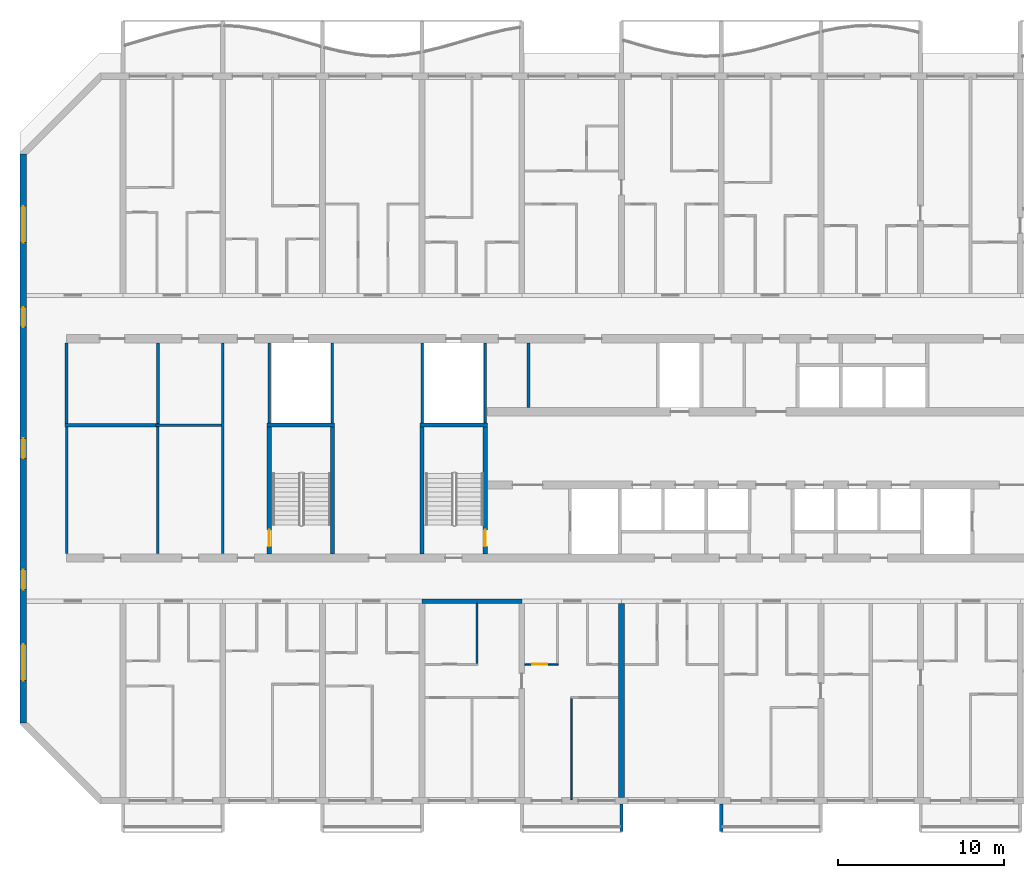
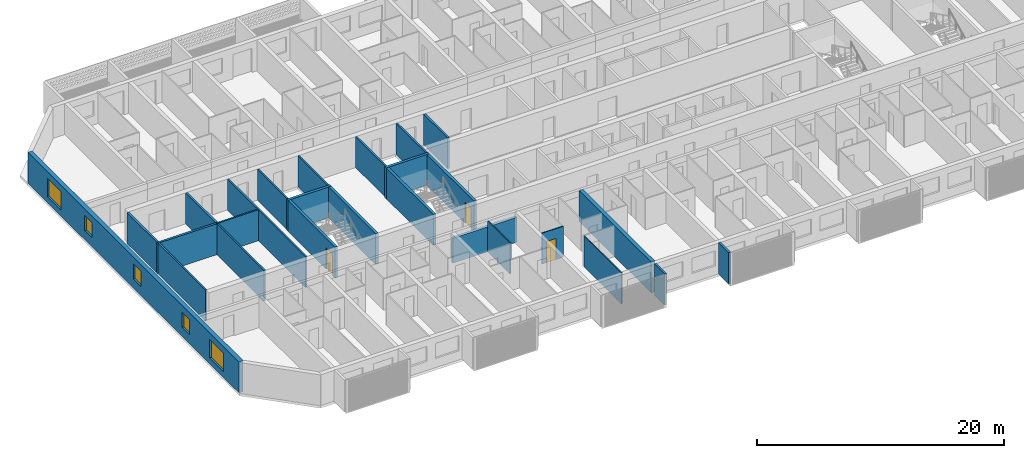
# One storey, part 4 of 28: 26 walls, 5 windows, 3 doors, 8 openings.
"""IFC4 building model written with IfcOpenShell, lengths in metres."""

from ifc_helpers import new_model, si_unit, direction, frame, frame_2d, origin, place, context, subcontext, project, spatial, polyline, rectangle, outline, extrude, source, transform, mapped, material, layer, layer_set, type_object, element, fill, save


model = new_model("IFC4")

# Units and contexts
model_context = context("Model", 3, precision=1e-05, world=origin(), true_north=direction((0.0, 1.0)))
body_context = subcontext(model_context, "Body", "Model", "MODEL_VIEW")
ifc_project = project(units=[si_unit("LENGTHUNIT", "METRE"), si_unit("AREAUNIT", "SQUARE_METRE"), si_unit("VOLUMEUNIT", "CUBIC_METRE"), si_unit("PLANEANGLEUNIT", "RADIAN"), si_unit("MASSUNIT", "GRAM", prefix="KILO")], contexts=[model_context])

# Site, building, storey
site_placement = place(None, origin())
site = spatial("IfcSite", under=ifc_project, at=site_placement, CompositionType="ELEMENT")
building_placement = place(site_placement, origin())
building = spatial("IfcBuilding", under=site, at=building_placement, Name="Poui Terraces", CompositionType="ELEMENT")
storey_placement = place(building_placement, frame((0.0, 0.0, 72.89990234375)))
storey = spatial("IfcBuildingStorey", under=building, at=storey_placement, Name="L19", CompositionType="ELEMENT", Elevation=72.89990234375)

# Walls
ifc_material_1 = material(Name="Fire-rated plasterboard wall")
ifc_layer_1 = layer(ifc_material_1, 0.14990234375)
ifc_layer_set_1 = layer_set([ifc_layer_1], Name="Fire-rated plasterboard wall")
wall_type_1 = type_object("IfcWallType", Name="CORRIDOR WALL 150", PredefinedType="PARTITIONING", material=ifc_layer_set_1)
wall_1_placement = place(storey_placement, frame((8.60009765625, 14.860107421875, 0.0), z_axis=(0.0, 0.0, 1.0), x_axis=(0.0, 1.0, 0.0)))
element("IfcWall", 1, at=wall_1_placement, inside=storey, type_object=wall_type_1, Name="CORRIDOR WALL 150", PredefinedType="PARTITIONING", context=body_context, shape_type="SweptSolid", body=[
    extrude(rectangle(XDim=7.639892578125, YDim=0.14990234375, at=frame_2d((3.81982421875, 0.0))), origin(), (0.0, 0.0, 1.0), 3.06005859375),
])
wall_2_placement = place(storey_placement, frame((18.0, 14.860107421875, 0.0), z_axis=(0.0, 0.0, 1.0), x_axis=(0.0, 1.0, 0.0)))
element("IfcWall", 2, at=wall_2_placement, inside=storey, type_object=wall_type_1, Name="CORRIDOR WALL 150", PredefinedType="PARTITIONING", context=body_context, shape_type="SweptSolid", body=[
    extrude(rectangle(XDim=12.679931640625, YDim=0.14990234375, at=frame_2d((6.33984375, 0.0))), origin(), (0.0, 0.0, 1.0), 3.06005859375),
])
ifc_material_2 = material(Name="Concrete 65 MPa", Category="concrete")
ifc_layer_2 = layer(ifc_material_2, 0.25)
ifc_layer_set_2 = layer_set([ifc_layer_2], Name="Concrete 65 MPa")
wall_type_2 = type_object("IfcWallType", Name="CORRIDOR WALL 250 65MPa", PredefinedType="SHEAR", material=ifc_layer_set_2)
wall_3_placement = place(storey_placement, frame((30.0, 12.0, 0.0), z_axis=(0.0, 0.0, 1.0), x_axis=(1.0, 0.0, 0.0)))
element("IfcWall", 3, at=wall_3_placement, inside=storey, type_object=wall_type_2, Name="CORRIDOR WALL LINE B BAY 5", PredefinedType="SHEAR", context=body_context, shape_type="SweptSolid", body=[
    extrude(rectangle(XDim=6.0, YDim=0.25, at=frame_2d((3.0, 0.0))), origin(), (0.0, 0.0, 1.0), 2.460205078125),
])
ifc_layer_3 = layer(ifc_material_2, 0.35009765625)
ifc_layer_set_3 = layer_set([ifc_layer_3], Name="Concrete 65 MPa")
wall_type_3 = type_object("IfcWallType", Name="CROSS WALL 350 65MPa", PredefinedType="SHEAR", material=ifc_layer_set_3)
wall_4_placement = place(storey_placement, frame((42.0, 0.199951171875, 0.0), z_axis=(0.0, 0.0, 1.0), x_axis=(0.0, 1.0, 0.0)))
element("IfcWall", 4, at=wall_4_placement, inside=storey, type_object=wall_type_3, Name="CROSS WALL LINE 8 SOUTH", PredefinedType="SHEAR", context=body_context, shape_type="SweptSolid", body=[
    extrude(rectangle(XDim=11.675048828125, YDim=0.35009765625, at=frame_2d((5.83740234375, 0.0))), origin(), (0.0, 0.0, 1.0), 3.06005859375),
])

# Wall, openings, windows
ifc_layer_4 = layer(ifc_material_2, 0.39990234375)
ifc_layer_set_4 = layer_set([ifc_layer_4], Name="Concrete 65 MPa")
wall_type_4 = type_object("IfcWallType", Name="END WALL 400 65MPa", PredefinedType="SHEAR", material=ifc_layer_set_4)
wall_5_placement = place(storey_placement, frame((6.0, 4.682861328125, 0.0), z_axis=(0.0, 0.0, 1.0), x_axis=(0.0, 1.0, 0.0)))
wall_5 = element("IfcWall", 5, at=wall_5_placement, inside=storey, type_object=wall_type_4, Name="END WALL WEST", PredefinedType="SHEAR", context=body_context, shape_type="SweptSolid", body=[
    extrude(rectangle(XDim=34.234375, YDim=0.39990234375, at=frame_2d((17.1171875, 0.0))), origin(), (0.0, 0.0, 1.0), 3.06005859375),
])
opening_1_placement = place(wall_5_placement, frame((23.817138671875, 0.0, 0.89990234375)))
opening_1 = element("IfcOpeningElement", 6, at=opening_1_placement, cuts=wall_5, Name="Opening W2", PredefinedType="OPENING", context=body_context, shape_type="SweptSolid", body=[
    extrude(rectangle(XDim=1.199951171875, YDim=1.5, at=frame_2d((0.60009765625, 0.75))), frame((0.0, 0.2099609375, 0.0), z_axis=(0.0, -1.0, 0.0), x_axis=(1.0, 0.0, 0.0)), (0.0, 0.0, 1.0), 0.419921875),
])
opening_2_placement = place(wall_5_placement, frame((8.01708984375, 0.0, 0.89990234375)))
opening_2 = element("IfcOpeningElement", 7, at=opening_2_placement, cuts=wall_5, Name="Opening W2", PredefinedType="OPENING", context=body_context, shape_type="SweptSolid", body=[
    extrude(rectangle(XDim=1.199951171875, YDim=1.5, at=frame_2d((0.60009765625, 0.75))), frame((0.0, 0.2099609375, 0.0), z_axis=(0.0, -1.0, 0.0), x_axis=(1.0, 0.0, 0.0)), (0.0, 0.0, 1.0), 0.419921875),
])
opening_3_placement = place(wall_5_placement, frame((15.917236328125, 0.0, 0.89990234375)))
opening_3 = element("IfcOpeningElement", 8, at=opening_3_placement, cuts=wall_5, Name="Opening W2", PredefinedType="OPENING", context=body_context, shape_type="SweptSolid", body=[
    extrude(rectangle(XDim=1.199951171875, YDim=1.5, at=frame_2d((0.60009765625, 0.75))), frame((0.0, 0.2099609375, 0.0), z_axis=(0.0, -1.0, 0.0), x_axis=(1.0, 0.0, 0.0)), (0.0, 0.0, 1.0), 0.419921875),
])
opening_4_placement = place(wall_5_placement, frame((28.8935546875, 0.0, 0.60009765625)))
opening_4 = element("IfcOpeningElement", 9, at=opening_4_placement, cuts=wall_5, Name="Opening W3", PredefinedType="OPENING", context=body_context, shape_type="SweptSolid", body=[
    extrude(rectangle(XDim=2.199951171875, YDim=1.800048828125, at=frame_2d((1.10009765625, 0.89990234375))), frame((0.0, 0.2099609375, 0.0), z_axis=(0.0, -1.0, 0.0), x_axis=(1.0, 0.0, 0.0)), (0.0, 0.0, 1.0), 0.419921875),
])
opening_5_placement = place(wall_5_placement, frame((2.541015625, 0.0, 0.60009765625)))
opening_5 = element("IfcOpeningElement", 10, at=opening_5_placement, cuts=wall_5, Name="Opening W3", PredefinedType="OPENING", context=body_context, shape_type="SweptSolid", body=[
    extrude(rectangle(XDim=2.199951171875, YDim=1.800048828125, at=frame_2d((1.10009765625, 0.89990234375))), frame((0.0, 0.2099609375, 0.0), z_axis=(0.0, -1.0, 0.0), x_axis=(1.0, 0.0, 0.0)), (0.0, 0.0, 1.0), 0.419921875),
])
ifc_material_3 = material(Name="Clear glass in aluminium frame", Category="aluminium")
window_type_1 = type_object("IfcWindowType", Name="WINDOW 1200X1500", PartitioningType="SINGLE_PANEL", PredefinedType="WINDOW", material=ifc_material_3)
window_1_placement = place(opening_1_placement, origin())
window_1 = element("IfcWindow", 11, at=window_1_placement, inside=storey, type_object=window_type_1, Name="W2 WINDOW", OverallHeight=1.5, OverallWidth=1.199951171875, PartitioningType="SINGLE_PANEL", PredefinedType="WINDOW", context=body_context, shape_type="SweptSolid", body=[
    extrude(rectangle(XDim=1.199951171875, YDim=1.5, at=frame_2d((0.60009765625, 0.75))), frame((0.0, 0.030029296875, 0.0), z_axis=(0.0, -1.0, 0.0), x_axis=(1.0, 0.0, 0.0)), (0.0, 0.0, 1.0), 0.06005859375),
])
fill(opening_1, window_1)
window_2_placement = place(opening_2_placement, origin())
window_2 = element("IfcWindow", 12, at=window_2_placement, inside=storey, type_object=window_type_1, Name="W2 WINDOW", OverallHeight=1.5, OverallWidth=1.199951171875, PartitioningType="SINGLE_PANEL", PredefinedType="WINDOW", context=body_context, shape_type="SweptSolid", body=[
    extrude(rectangle(XDim=1.199951171875, YDim=1.5, at=frame_2d((0.60009765625, 0.75))), frame((0.0, 0.030029296875, 0.0), z_axis=(0.0, -1.0, 0.0), x_axis=(1.0, 0.0, 0.0)), (0.0, 0.0, 1.0), 0.06005859375),
])
fill(opening_2, window_2)
window_3_placement = place(opening_3_placement, origin())
window_3 = element("IfcWindow", 13, at=window_3_placement, inside=storey, type_object=window_type_1, Name="W2 WINDOW", OverallHeight=1.5, OverallWidth=1.199951171875, PartitioningType="SINGLE_PANEL", PredefinedType="WINDOW", context=body_context, shape_type="SweptSolid", body=[
    extrude(rectangle(XDim=1.199951171875, YDim=1.5, at=frame_2d((0.60009765625, 0.75))), frame((0.0, 0.030029296875, 0.0), z_axis=(0.0, -1.0, 0.0), x_axis=(1.0, 0.0, 0.0)), (0.0, 0.0, 1.0), 0.06005859375),
])
fill(opening_3, window_3)
window_type_2 = type_object("IfcWindowType", Name="WINDOW 2200X1800", PartitioningType="DOUBLE_PANEL_HORIZONTAL", PredefinedType="WINDOW", material=ifc_material_3)
window_4_placement = place(opening_4_placement, origin())
window_4 = element("IfcWindow", 14, at=window_4_placement, inside=storey, type_object=window_type_2, Name="W3 WINDOW", OverallHeight=1.800048828125, OverallWidth=2.199951171875, PartitioningType="DOUBLE_PANEL_HORIZONTAL", PredefinedType="WINDOW", context=body_context, shape_type="SweptSolid", body=[
    extrude(rectangle(XDim=2.199951171875, YDim=1.800048828125, at=frame_2d((1.10009765625, 0.89990234375))), frame((0.0, 0.030029296875, 0.0), z_axis=(0.0, -1.0, 0.0), x_axis=(1.0, 0.0, 0.0)), (0.0, 0.0, 1.0), 0.06005859375),
])
fill(opening_4, window_4)
window_5_placement = place(opening_5_placement, origin())
window_5 = element("IfcWindow", 15, at=window_5_placement, inside=storey, type_object=window_type_2, Name="W3 WINDOW", OverallHeight=1.800048828125, OverallWidth=2.199951171875, PartitioningType="DOUBLE_PANEL_HORIZONTAL", PredefinedType="WINDOW", context=body_context, shape_type="SweptSolid", body=[
    extrude(rectangle(XDim=2.199951171875, YDim=1.800048828125, at=frame_2d((1.10009765625, 0.89990234375))), frame((0.0, 0.030029296875, 0.0), z_axis=(0.0, -1.0, 0.0), x_axis=(1.0, 0.0, 0.0)), (0.0, 0.0, 1.0), 0.06005859375),
])
fill(opening_5, window_5)

# Wall, opening, door
ifc_material_4 = material(Name="Plasterboard partition")
ifc_layer_5 = layer(ifc_material_4, 0.10009765625)
ifc_layer_set_5 = layer_set([ifc_layer_5], Name="Plasterboard partition")
wall_type_5 = type_object("IfcWallType", Name="FLAT PARTITION 100", PredefinedType="PARTITIONING", material=ifc_layer_set_5)
wall_6_placement = place(storey_placement, frame((36.18505859375, 8.199951171875, 0.0), z_axis=(0.0, 0.0, 1.0), x_axis=(1.0, 0.0, 0.0)))
wall_6 = element("IfcWall", 16, at=wall_6_placement, inside=storey, type_object=wall_type_5, Name="FLAT PARTITION 100", PredefinedType="PARTITIONING", context=body_context, shape_type="SweptSolid", body=[
    extrude(rectangle(XDim=2.014892578125, YDim=0.10009765625, at=frame_2d((1.00732421875, 0.0))), origin(), (0.0, 0.0, 1.0), 3.06005859375),
])
opening_6_placement = place(wall_6_placement, frame((0.43994140625, 0.0, 0.0)))
opening_6 = element("IfcOpeningElement", 17, at=opening_6_placement, cuts=wall_6, Name="Opening D90", PredefinedType="OPENING", context=body_context, shape_type="SweptSolid", body=[
    extrude(rectangle(XDim=0.89990234375, YDim=2.10009765625, at=frame_2d((0.449951171875, 1.050048828125))), frame((0.0, 0.06005859375, 0.0), z_axis=(0.0, -1.0, 0.0), x_axis=(1.0, 0.0, 0.0)), (0.0, 0.0, 1.0), 0.1201171875),
])
ifc_material_5 = material(Name="Solid core timber door", Category="wood")
door_type_1 = type_object("IfcDoorType", Name="INTERNAL DOOR 900 X 2100", OperationType="NOTDEFINED", PredefinedType="DOOR", material=ifc_material_5)
door_1_placement = place(opening_6_placement, origin())
door_1 = element("IfcDoor", 18, at=door_1_placement, inside=storey, type_object=door_type_1, Name="INTERNAL DOOR 100", OperationType="SINGLE_SWING_RIGHT", OverallHeight=2.10009765625, OverallWidth=0.89990234375, PredefinedType="DOOR", context=body_context, shape_type="SweptSolid", body=[
    extrude(rectangle(XDim=0.89990234375, YDim=2.10009765625, at=frame_2d((0.449951171875, 1.050048828125))), frame((0.0, 0.02490234375, 0.0), z_axis=(0.0, -1.0, 0.0), x_axis=(1.0, 0.0, 0.0)), (0.0, 0.0, 1.0), 0.050048828125),
])
fill(opening_6, door_1)

# Walls
wall_7_placement = place(storey_placement, frame((33.300048828125, 8.25, 0.0), z_axis=(0.0, 0.0, 1.0), x_axis=(0.0, 1.0, 0.0)))
element("IfcWall", 19, at=wall_7_placement, inside=storey, type_object=wall_type_5, Name="FLAT PARTITION 100", PredefinedType="PARTITIONING", context=body_context, shape_type="SweptSolid", body=[
    extrude(rectangle(XDim=3.614990234375, YDim=0.10009765625, at=frame_2d((1.8076171875, 0.0))), origin(), (0.0, 0.0, 1.0), 3.06005859375),
])
wall_8_placement = place(storey_placement, frame((39.0, 0.06005859375, 0.0), z_axis=(0.0, 0.0, 1.0), x_axis=(0.0, 1.0, 0.0)))
element("IfcWall", 20, at=wall_8_placement, inside=storey, type_object=wall_type_5, Name="FLAT PARTITION 100", PredefinedType="PARTITIONING", context=body_context, shape_type="SweptSolid", body=[
    extrude(rectangle(XDim=6.08984375, YDim=0.10009765625, at=frame_2d((3.044921875, 0.0))), origin(), (0.0, 0.0, 1.0), 3.06005859375),
])
ifc_layer_6 = layer(ifc_material_4, 0.14990234375)
ifc_layer_set_6 = layer_set([ifc_layer_6], Name="Plasterboard partition")
wall_type_6 = type_object("IfcWallType", Name="PARTITION WALL 150", PredefinedType="PARTITIONING", material=ifc_layer_set_6)
wall_9_placement = place(storey_placement, frame((14.0, 22.60009765625, 0.0), z_axis=(0.0, 0.0, 1.0), x_axis=(1.0, 0.0, 0.0)))
element("IfcWall", 21, at=wall_9_placement, inside=storey, type_object=wall_type_6, Name="PARTITION WALL 150", PredefinedType="PARTITIONING", context=body_context, shape_type="SweptSolid", body=[
    extrude(rectangle(XDim=3.925048828125, YDim=0.14990234375, at=frame_2d((1.96240234375, 0.0))), origin(), (0.0, 0.0, 1.0), 3.06005859375),
])
wall_10_placement = place(storey_placement, frame((14.10009765625, 14.860107421875, 0.0), z_axis=(0.0, 0.0, 1.0), x_axis=(0.0, 1.0, 0.0)))
element("IfcWall", 22, at=wall_10_placement, inside=storey, type_object=wall_type_6, Name="PARTITION WALL 150", PredefinedType="PARTITIONING", context=body_context, shape_type="SweptSolid", body=[
    extrude(rectangle(XDim=7.639892578125, YDim=0.14990234375, at=frame_2d((3.81982421875, 0.0))), origin(), (0.0, 0.0, 1.0), 3.06005859375),
])
ifc_material_6 = material(Name="Fire-rated masonry wall", Category="masonry")
ifc_layer_7 = layer(ifc_material_6, 0.199951171875)
ifc_layer_set_7 = layer_set([ifc_layer_7], Name="Fire-rated masonry wall")
wall_type_7 = type_object("IfcWallType", Name="PLANT ROOM WALL 200", PredefinedType="PARTITIONING", material=ifc_layer_set_7)
wall_11_placement = place(storey_placement, frame((8.5, 22.60009765625, 0.0), z_axis=(0.0, 0.0, 1.0), x_axis=(1.0, 0.0, 0.0)))
element("IfcWall", 23, at=wall_11_placement, inside=storey, type_object=wall_type_7, Name="PLANT ROOM WALL 200", PredefinedType="PARTITIONING", context=body_context, shape_type="SweptSolid", body=[
    extrude(rectangle(XDim=5.699951171875, YDim=0.199951171875, at=frame_2d((2.85009765625, 0.0))), origin(), (0.0, 0.0, 1.0), 3.06005859375),
])
for number, where, z_axis, x_axis, name in (
    (24, (8.60009765625, 22.699951171875, 0.0), (0.0, 0.0, 1.0), (0.0, 1.0, 0.0), "PLANT ROOM WALL 200"),
    (25, (14.10009765625, 22.699951171875, 0.0), (0.0, 0.0, 1.0), (0.0, 1.0, 0.0), "PLANT ROOM WALL 200"),
):
    element("IfcWall", number, at=place(storey_placement, frame(where, z_axis=z_axis, x_axis=x_axis)), inside=storey, type_object=wall_type_7, Name=name, PredefinedType="PARTITIONING", context=body_context, shape_type="SweptSolid", body=[
        extrude(rectangle(XDim=4.840087890625, YDim=0.199951171875, at=frame_2d((2.419921875, 0.0))), origin(), (0.0, 0.0, 1.0), 3.06005859375),
    ])
wall_12_placement = place(storey_placement, frame((36.39990234375, 23.659912109375, 0.0), z_axis=(0.0, 0.0, 1.0), x_axis=(0.0, 1.0, 0.0)))
element("IfcWall", 26, at=wall_12_placement, inside=storey, type_object=wall_type_7, Name="PLANT ROOM WALL 200", PredefinedType="PARTITIONING", context=body_context, shape_type="SweptSolid", body=[
    extrude(rectangle(XDim=3.880126953125, YDim=0.199951171875, at=frame_2d((1.93994140625, 0.0))), origin(), (0.0, 0.0, 1.0), 3.06005859375),
])
ifc_material_7 = material(Name="Fire-rated plasterboard riser wall")
ifc_layer_8 = layer(ifc_material_7, 0.14990234375)
ifc_layer_set_8 = layer_set([ifc_layer_8], Name="Fire-rated plasterboard riser wall")
wall_type_8 = type_object("IfcWallType", Name="RISER WALL 150", PredefinedType="PARTITIONING", material=ifc_layer_set_8)
for number, where, z_axis, x_axis, name in (
    (27, (20.800048828125, 22.735107421875, 0.0), (0.0, 0.0, 1.0), (0.0, 1.0, 0.0), "RISER WALL 150"),
    (28, (24.60009765625, 22.735107421875, 0.0), (0.0, 0.0, 1.0), (0.0, 1.0, 0.0), "RISER WALL 150"),
    (29, (30.0, 22.735107421875, 0.0), (0.0, 0.0, 1.0), (0.0, 1.0, 0.0), "RISER WALL 150"),
    (30, (33.800048828125, 22.735107421875, 0.0), (0.0, 0.0, 1.0), (0.0, 1.0, 0.0), "RISER WALL 150"),
):
    element("IfcWall", number, at=place(storey_placement, frame(where, z_axis=z_axis, x_axis=x_axis)), inside=storey, type_object=wall_type_8, Name=name, PredefinedType="PARTITIONING", context=body_context, shape_type="SweptSolid", body=[
        extrude(rectangle(XDim=4.804931640625, YDim=0.14990234375, at=frame_2d((2.40234375, 0.0))), origin(), (0.0, 0.0, 1.0), 3.06005859375),
    ])
ifc_layer_9 = layer(ifc_material_2, 0.25)
ifc_layer_set_9 = layer_set([ifc_layer_9], Name="Concrete 65 MPa")
wall_type_9 = type_object("IfcWallType", Name="STAIR CORE WALL 250 65 MPA", PredefinedType="SOLIDWALL", material=ifc_layer_set_9)
wall_13_placement = place(storey_placement, frame((30.0, 14.85009765625, 0.0), z_axis=(0.0, 0.0, 1.0), x_axis=(0.0, 1.0, 0.0)))
element("IfcWall", 31, at=wall_13_placement, inside=storey, type_object=wall_type_9, Name="STAIR CORE WALL", PredefinedType="SOLIDWALL", context=body_context, shape_type="SweptSolid", body=[
    extrude(rectangle(XDim=7.625, YDim=0.25, at=frame_2d((3.8125, 0.0))), origin(), (0.0, 0.0, 1.0), 3.06005859375),
])

# Wall, opening, door
wall_14_placement = place(storey_placement, frame((33.800048828125, 14.85009765625, 0.0), z_axis=(0.0, 0.0, 1.0), x_axis=(0.0, 1.0, 0.0)))
wall_14 = element("IfcWall", 32, at=wall_14_placement, inside=storey, type_object=wall_type_9, Name="STAIR CORE WALL", PredefinedType="SOLIDWALL", context=body_context, shape_type="SweptSolid", body=[
    extrude(rectangle(XDim=7.625, YDim=0.25, at=frame_2d((3.8125, 0.0))), origin(), (0.0, 0.0, 1.0), 3.06005859375),
])
opening_7_placement = place(wall_14_placement, frame((0.449951171875, 0.0, 0.0)))
opening_7 = element("IfcOpeningElement", 33, at=opening_7_placement, cuts=wall_14, Name="Opening FD60S", PredefinedType="OPENING", context=body_context, shape_type="SweptSolid", body=[
    extrude(rectangle(XDim=1.0, YDim=2.10009765625, at=frame_2d((0.5, 1.050048828125))), frame((0.0, 0.135009765625, 0.0), z_axis=(0.0, -1.0, 0.0), x_axis=(1.0, 0.0, 0.0)), (0.0, 0.0, 1.0), 0.27001953125),
])
ifc_material_8 = material(Name="Steel fire door", Category="steel")
door_type_2 = type_object("IfcDoorType", Name="STAIR DOOR 1000 X 2100", OperationType="NOTDEFINED", PredefinedType="DOOR", material=ifc_material_8)
door_2_placement = place(opening_7_placement, origin())
door_2 = element("IfcDoor", 34, at=door_2_placement, inside=storey, type_object=door_type_2, Name="STAIR DOOR 137", OperationType="SINGLE_SWING_LEFT", OverallHeight=2.10009765625, OverallWidth=1.0, PredefinedType="DOOR", context=body_context, shape_type="SweptSolid", body=[
    extrude(rectangle(XDim=1.0, YDim=2.10009765625, at=frame_2d((0.5, 1.050048828125))), frame((0.0, 0.02490234375, 0.0), z_axis=(0.0, -1.0, 0.0), x_axis=(1.0, 0.0, 0.0)), (0.0, 0.0, 1.0), 0.050048828125),
])
fill(opening_7, door_2)

# Wall
wall_15_placement = place(storey_placement, frame((29.875, 22.60009765625, 0.0), z_axis=(0.0, 0.0, 1.0), x_axis=(1.0, 0.0, 0.0)))
element("IfcWall", 35, at=wall_15_placement, inside=storey, type_object=wall_type_9, Name="STAIR CORE WALL", PredefinedType="SOLIDWALL", context=body_context, shape_type="SweptSolid", body=[
    extrude(rectangle(XDim=4.050048828125, YDim=0.25, at=frame_2d((2.02490234375, 0.0))), origin(), (0.0, 0.0, 1.0), 3.06005859375),
])

# Wall, opening, door
wall_16_placement = place(storey_placement, frame((20.800048828125, 14.85009765625, 0.0), z_axis=(0.0, 0.0, 1.0), x_axis=(0.0, 1.0, 0.0)))
wall_16 = element("IfcWall", 36, at=wall_16_placement, inside=storey, type_object=wall_type_9, Name="STAIR CORE WALL", PredefinedType="SOLIDWALL", context=body_context, shape_type="SweptSolid", body=[
    extrude(rectangle(XDim=7.625, YDim=0.25, at=frame_2d((3.8125, 0.0))), origin(), (0.0, 0.0, 1.0), 3.06005859375),
])
opening_8_placement = place(wall_16_placement, frame((0.449951171875, 0.0, 0.0)))
opening_8 = element("IfcOpeningElement", 37, at=opening_8_placement, cuts=wall_16, Name="Opening FD60S", PredefinedType="OPENING", context=body_context, shape_type="SweptSolid", body=[
    extrude(rectangle(XDim=1.0, YDim=2.10009765625, at=frame_2d((0.5, 1.050048828125))), frame((0.0, 0.135009765625, 0.0), z_axis=(0.0, -1.0, 0.0), x_axis=(1.0, 0.0, 0.0)), (0.0, 0.0, 1.0), 0.27001953125),
])
door_3_placement = place(opening_8_placement, frame((1.0, 0.0, 0.0), z_axis=(0.0, 0.0, 1.0), x_axis=(-1.0, 0.0, 0.0)))
door_3 = element("IfcDoor", 38, at=door_3_placement, inside=storey, type_object=door_type_2, Name="STAIR DOOR 151", OperationType="SINGLE_SWING_RIGHT", OverallHeight=2.10009765625, OverallWidth=1.0, PredefinedType="DOOR", context=body_context, shape_type="SweptSolid", body=[
    extrude(rectangle(XDim=1.0, YDim=2.10009765625, at=frame_2d((0.5, 1.050048828125))), frame((0.0, 0.02490234375, 0.0), z_axis=(0.0, -1.0, 0.0), x_axis=(1.0, 0.0, 0.0)), (0.0, 0.0, 1.0), 0.050048828125),
])
fill(opening_8, door_3)

# Walls
wall_17_placement = place(storey_placement, frame((24.60009765625, 14.85009765625, 0.0), z_axis=(0.0, 0.0, 1.0), x_axis=(0.0, 1.0, 0.0)))
element("IfcWall", 39, at=wall_17_placement, inside=storey, type_object=wall_type_9, Name="STAIR CORE WALL", PredefinedType="SOLIDWALL", context=body_context, shape_type="SweptSolid", body=[
    extrude(rectangle(XDim=7.625, YDim=0.25, at=frame_2d((3.8125, 0.0))), origin(), (0.0, 0.0, 1.0), 3.06005859375),
])
wall_18_placement = place(storey_placement, frame((20.675048828125, 22.60009765625, 0.0), z_axis=(0.0, 0.0, 1.0), x_axis=(1.0, 0.0, 0.0)))
element("IfcWall", 40, at=wall_18_placement, inside=storey, type_object=wall_type_9, Name="STAIR CORE WALL", PredefinedType="SOLIDWALL", context=body_context, shape_type="SweptSolid", body=[
    extrude(rectangle(XDim=4.050048828125, YDim=0.25, at=frame_2d((2.02490234375, 0.0))), origin(), (0.0, 0.0, 1.0), 3.06005859375),
])
ifc_material_9 = material(Name="Precast concrete 40 MPa", Category="concrete")
ifc_layer_10 = layer(ifc_material_9, 0.199951171875)
ifc_layer_set_10 = layer_set([ifc_layer_10], Name="Precast concrete 40 MPa")
wall_type_10 = type_object("IfcWallType", Name="REAR FIN 200", PredefinedType="STANDARD", material=ifc_layer_set_10)
shared_shape = source(origin(), body_context, "Body", "SweptSolid", [
    extrude(outline(polyline([(0.0, 0.0), (0.2001953125, 0.0), (0.2001953125, 1.650146484375), (0.0, 1.650146484375), (0.0, 0.0)])), origin(), (0.0, 0.0, 1.0), 3.10009765625),
])
for number, where, name in (
    (41, (41.89990234375, -1.85009765625, 0.0), "REAR FIN"),
    (42, (47.89990234375, -1.85009765625, 0.0), "REAR FIN"),
):
    element("IfcWall", number, at=place(storey_placement, frame(where)), inside=storey, type_object=wall_type_10, Name=name, PredefinedType="STANDARD", context=body_context, shape_type="MappedRepresentation", body=[
        mapped(shared_shape, transform((0.0, 0.0, 0.0))),
    ])

save(model, "model.ifc")
